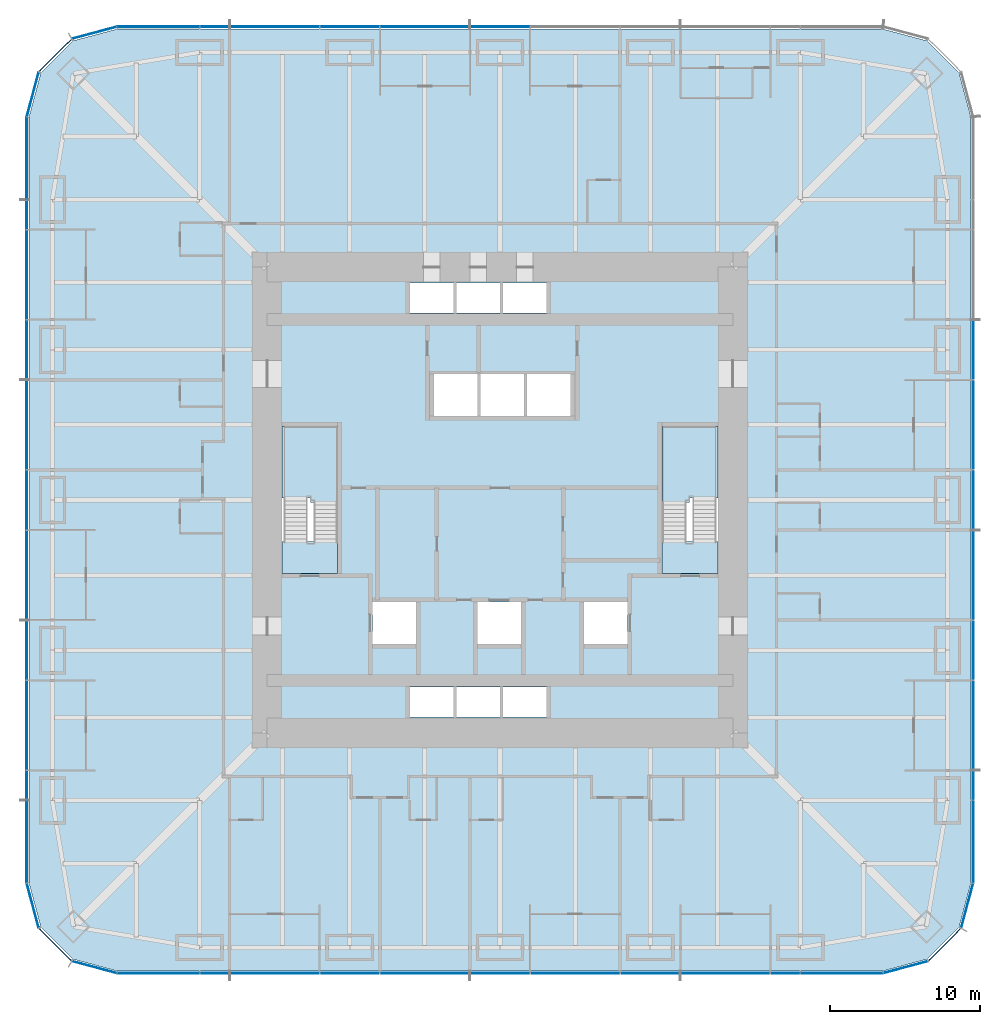
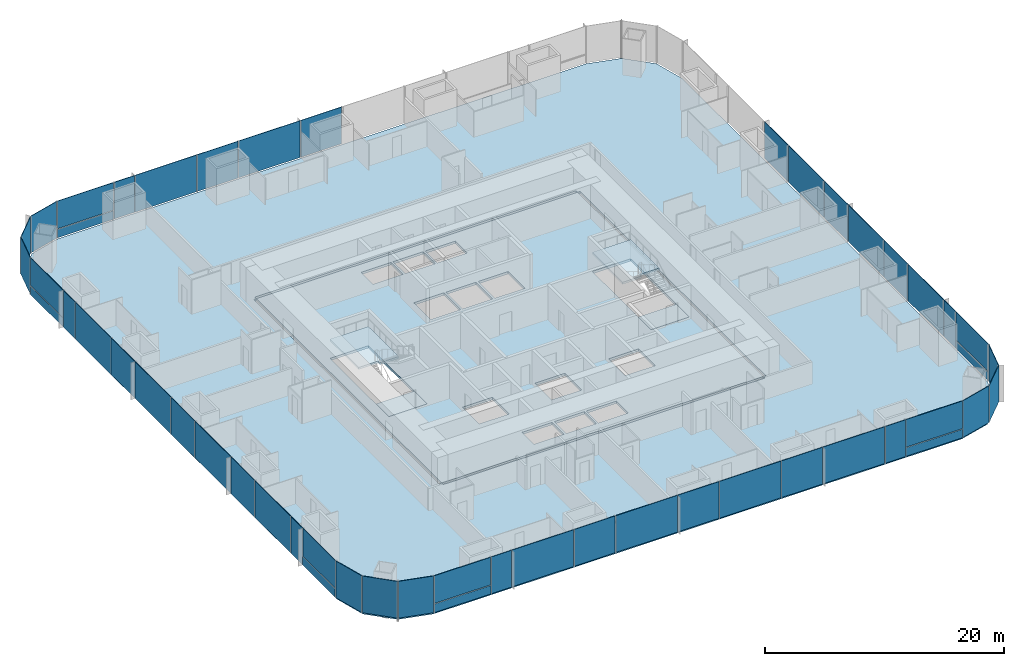
# One storey, part 10 of 16: 51 plates, 6 slabs, 9 elements without a shape of their own.
"""IFC4 building model written with IfcOpenShell, lengths in metres."""

from ifc_helpers import new_model, si_unit, direction, frame, origin, origin_2d, place, context, subcontext, project, spatial, polyline, rectangle, outline, extrude, material, layer, layer_set, type_object, element, aggregate, save


model = new_model("IFC4")

# Units and contexts
model_context = context("Model", 3, precision=1e-05, world=origin(), true_north=direction((0.0, 1.0)))
body_context = subcontext(model_context, "Body", "Model", "MODEL_VIEW")
ifc_project = project(units=[si_unit("LENGTHUNIT", "METRE"), si_unit("AREAUNIT", "SQUARE_METRE"), si_unit("VOLUMEUNIT", "CUBIC_METRE"), si_unit("PLANEANGLEUNIT", "RADIAN"), si_unit("MASSUNIT", "GRAM", prefix="KILO")], contexts=[model_context])

# Site, building, storey
site_placement = place(None, origin())
site = spatial("IfcSite", under=ifc_project, at=site_placement, CompositionType="ELEMENT")
building_placement = place(site_placement, origin())
building = spatial("IfcBuilding", under=site, at=building_placement, Name="Khuree Lantern Residences", CompositionType="ELEMENT")
storey_placement = place(building_placement, frame((0.0, 0.0, 54.75)))
storey = spatial("IfcBuildingStorey", under=building, at=storey_placement, Name="L13", CompositionType="ELEMENT", Elevation=54.75)

# Slab
ifc_material_1 = material(Name="Concrete C35/45", Category="concrete")
ifc_layer_1 = layer(ifc_material_1, 0.25)
ifc_layer_set_1 = layer_set([ifc_layer_1], Name="CFL250 CORE FLOOR SLAB 250")
slab_type_1 = type_object("IfcSlabType", Name="CFL250 CORE FLOOR SLAB 250", PredefinedType="FLOOR", material=ifc_layer_set_1)
slab_1_placement = place(storey_placement, frame((0.0, 0.0, -0.25)))
element("IfcSlab", 1, at=slab_1_placement, inside=storey, type_object=slab_type_1, Name="Core floor L13", PredefinedType="FLOOR", context=body_context, shape_type="SweptSolid", body=[
    extrude(outline(polyline([(-15.5, -15.5), (-15.5, 15.5), (15.5, 15.5), (15.5, -15.5), (-15.5, -15.5)]), holes=[polyline([(14.5, 4.89990234375), (10.800048828125, 4.89990234375), (10.800048828125, -4.89990234375), (14.5, -4.89990234375), (14.5, 4.89990234375)]), polyline([(8.5, -6.800048828125), (5.60009765625, -6.800048828125), (5.60009765625, -9.60009765625), (8.5, -9.60009765625), (8.5, -6.800048828125)]), polyline([(4.699951171875, 8.39990234375), (1.800048828125, 8.39990234375), (1.800048828125, 5.60009765625), (4.699951171875, 5.60009765625), (4.699951171875, 8.39990234375)]), polyline([(0.199951171875, -12.449951171875), (0.199951171875, -14.449951171875), (3.10009765625, -14.449951171875), (3.10009765625, -12.449951171875), (0.199951171875, -12.449951171875)]), polyline([(3.10009765625, 14.449951171875), (0.199951171875, 14.449951171875), (0.199951171875, 12.449951171875), (3.10009765625, 12.449951171875), (3.10009765625, 14.449951171875)]), polyline([(1.60009765625, 8.39990234375), (-1.300048828125, 8.39990234375), (-1.300048828125, 5.60009765625), (1.60009765625, 5.60009765625), (1.60009765625, 8.39990234375)]), polyline([(1.39990234375, -6.800048828125), (-1.5, -6.800048828125), (-1.5, -9.60009765625), (1.39990234375, -9.60009765625), (1.39990234375, -6.800048828125)]), polyline([(0.0, -12.449951171875), (-2.89990234375, -12.449951171875), (-2.89990234375, -14.449951171875), (0.0, -14.449951171875), (0.0, -12.449951171875)]), polyline([(0.0, 14.449951171875), (-2.89990234375, 14.449951171875), (-2.89990234375, 12.449951171875), (0.0, 12.449951171875), (0.0, 14.449951171875)]), polyline([(-1.5, 8.39990234375), (-4.39990234375, 8.39990234375), (-4.39990234375, 5.60009765625), (-1.5, 5.60009765625), (-1.5, 8.39990234375)]), polyline([(-6.0, -12.449951171875), (-6.0, -14.449951171875), (-3.10009765625, -14.449951171875), (-3.10009765625, -12.449951171875), (-6.0, -12.449951171875)]), polyline([(-3.10009765625, 14.449951171875), (-6.0, 14.449951171875), (-6.0, 12.449951171875), (-3.10009765625, 12.449951171875), (-3.10009765625, 14.449951171875)]), polyline([(-5.60009765625, -6.800048828125), (-8.5, -6.800048828125), (-8.5, -9.60009765625), (-5.60009765625, -9.60009765625), (-5.60009765625, -6.800048828125)]), polyline([(-10.800048828125, 4.89990234375), (-14.5, 4.89990234375), (-14.5, -4.89990234375), (-10.800048828125, -4.89990234375), (-10.800048828125, 4.89990234375)])]), origin(), (0.0, 0.0, 1.0), 0.25),
])

# Curtain wall, plates
ifc_material_2 = material(Name="Bronze anodised aluminium", Category="aluminium")
curtain_wall_type_1 = type_object("IfcCurtainWallType", Name="CW-T2 TOWER CORNER CURTAIN WALL", PredefinedType="USERDEFINED", material=ifc_material_2)
curtain_wall_1_placement = place(storey_placement, origin())
curtain_wall_1 = element("IfcCurtainWall", 2, at=curtain_wall_1_placement, inside=storey, type_object=curtain_wall_type_1, Name="L13 SOUTH-EAST CORNER CURTAIN WALL", ObjectType="Faceted corner curtain wall", PredefinedType="USERDEFINED")
ifc_material_3 = material(Name="Bronze tinted triple glazing", Category="glass")
ifc_layer_2 = layer(ifc_material_3, 0.048095703125)
ifc_layer_set_2 = layer_set([ifc_layer_2], Name="FACET PANEL P4")
plate_type_1 = type_object("IfcPlateType", Name="FACET PANEL P4", PredefinedType="CURTAIN_PANEL", material=ifc_layer_set_2)
plate_1_placement = place(storey_placement, frame((26.998046875, -31.0986328125, 0.0), z_axis=(0.0, 0.0, 1.0), x_axis=(0.965925792265, 0.258819172081, 0.0)))
plate_1 = element("IfcPlate", 3, at=plate_1_placement, type_object=plate_type_1, Name="L13 SOUTH-EAST CORNER PANEL 1.1", PredefinedType="CURTAIN_PANEL", context=body_context, shape_type="SweptSolid", body=[
    extrude(rectangle(XDim=3.02978515625, YDim=0.048095703125, at=origin_2d()), origin(), (0.0, 0.0, 1.0), 3.75),
])
plate_2_placement = place(storey_placement, frame((29.59814453125, -29.59814453125, 0.0), z_axis=(0.0, 0.0, 1.0), x_axis=(0.707106781187, 0.707106781187, 0.0)))
plate_2 = element("IfcPlate", 4, at=plate_2_placement, type_object=plate_type_1, Name="L13 SOUTH-EAST CORNER PANEL 2.1", PredefinedType="CURTAIN_PANEL", context=body_context, shape_type="SweptSolid", body=[
    extrude(rectangle(XDim=3.025634765625, YDim=0.048095703125, at=origin_2d()), origin(), (0.0, 0.0, 1.0), 3.75),
])
plate_3_placement = place(storey_placement, frame((31.0986328125, -26.998046875, 0.0), z_axis=(0.0, 0.0, 1.0), x_axis=(0.258819172081, 0.965925792265, 0.0)))
plate_3 = element("IfcPlate", 5, at=plate_3_placement, type_object=plate_type_1, Name="L13 SOUTH-EAST CORNER PANEL 3.1", PredefinedType="CURTAIN_PANEL", context=body_context, shape_type="SweptSolid", body=[
    extrude(rectangle(XDim=3.02978515625, YDim=0.048095703125, at=origin_2d()), origin(), (0.0, 0.0, 1.0), 3.75),
])
aggregate(curtain_wall_1, [plate_1, plate_2, plate_3])

curtain_wall_2_placement = place(storey_placement, origin())
curtain_wall_2 = element("IfcCurtainWall", 6, at=curtain_wall_2_placement, inside=storey, type_object=curtain_wall_type_1, Name="L13 NORTH-WEST CORNER CURTAIN WALL", ObjectType="Faceted corner curtain wall", PredefinedType="USERDEFINED")
plate_4_placement = place(storey_placement, frame((-26.998046875, 31.0986328125, 0.0), z_axis=(0.0, 0.0, 1.0), x_axis=(-0.965925792265, -0.258819172081, 0.0)))
plate_4 = element("IfcPlate", 7, at=plate_4_placement, type_object=plate_type_1, Name="L13 NORTH-WEST CORNER PANEL 29.1", PredefinedType="CURTAIN_PANEL", context=body_context, shape_type="SweptSolid", body=[
    extrude(rectangle(XDim=3.02978515625, YDim=0.048095703125, at=origin_2d()), origin(), (0.0, 0.0, 1.0), 3.75),
])
plate_5_placement = place(storey_placement, frame((-29.59814453125, 29.59814453125, 0.0), z_axis=(0.0, 0.0, 1.0), x_axis=(-0.707106781187, -0.707106781187, 0.0)))
plate_5 = element("IfcPlate", 8, at=plate_5_placement, type_object=plate_type_1, Name="L13 NORTH-WEST CORNER PANEL 30.1", PredefinedType="CURTAIN_PANEL", context=body_context, shape_type="SweptSolid", body=[
    extrude(rectangle(XDim=3.025634765625, YDim=0.048095703125, at=origin_2d()), origin(), (0.0, 0.0, 1.0), 3.75),
])
plate_6_placement = place(storey_placement, frame((-31.0986328125, 26.998046875, 0.0), z_axis=(0.0, 0.0, 1.0), x_axis=(-0.258819172081, -0.965925792265, 0.0)))
plate_6 = element("IfcPlate", 9, at=plate_6_placement, type_object=plate_type_1, Name="L13 NORTH-WEST CORNER PANEL 31.1", PredefinedType="CURTAIN_PANEL", context=body_context, shape_type="SweptSolid", body=[
    extrude(rectangle(XDim=3.02978515625, YDim=0.048095703125, at=origin_2d()), origin(), (0.0, 0.0, 1.0), 3.75),
])
aggregate(curtain_wall_2, [plate_4, plate_5, plate_6])

curtain_wall_3_placement = place(storey_placement, origin())
curtain_wall_3 = element("IfcCurtainWall", 10, at=curtain_wall_3_placement, inside=storey, type_object=curtain_wall_type_1, Name="L13 SOUTH-WEST CORNER CURTAIN WALL", ObjectType="Faceted corner curtain wall", PredefinedType="USERDEFINED")
plate_7_placement = place(storey_placement, frame((-31.0986328125, -26.998046875, 0.0), z_axis=(0.0, 0.0, 1.0), x_axis=(0.258819172081, -0.965925792265, 0.0)))
plate_7 = element("IfcPlate", 11, at=plate_7_placement, type_object=plate_type_1, Name="L13 SOUTH-WEST CORNER PANEL 43.1", PredefinedType="CURTAIN_PANEL", context=body_context, shape_type="SweptSolid", body=[
    extrude(rectangle(XDim=3.02978515625, YDim=0.048095703125, at=origin_2d()), origin(), (0.0, 0.0, 1.0), 3.75),
])
plate_8_placement = place(storey_placement, frame((-29.59814453125, -29.59814453125, 0.0), z_axis=(0.0, 0.0, 1.0), x_axis=(0.707106781187, -0.707106781187, 0.0)))
plate_8 = element("IfcPlate", 12, at=plate_8_placement, type_object=plate_type_1, Name="L13 SOUTH-WEST CORNER PANEL 44.1", PredefinedType="CURTAIN_PANEL", context=body_context, shape_type="SweptSolid", body=[
    extrude(rectangle(XDim=3.025634765625, YDim=0.048095703125, at=origin_2d()), origin(), (0.0, 0.0, 1.0), 3.75),
])
plate_9_placement = place(storey_placement, frame((-26.998046875, -31.0986328125, 0.0), z_axis=(0.0, 0.0, 1.0), x_axis=(0.965925792265, -0.258819172081, 0.0)))
plate_9 = element("IfcPlate", 13, at=plate_9_placement, type_object=plate_type_1, Name="L13 SOUTH-WEST CORNER PANEL 45.1", PredefinedType="CURTAIN_PANEL", context=body_context, shape_type="SweptSolid", body=[
    extrude(rectangle(XDim=3.02978515625, YDim=0.048095703125, at=origin_2d()), origin(), (0.0, 0.0, 1.0), 3.75),
])
aggregate(curtain_wall_3, [plate_7, plate_8, plate_9])

curtain_wall_type_2 = type_object("IfcCurtainWallType", Name="CW-T1 TOWER FACE CURTAIN WALL", PredefinedType="USERDEFINED", material=ifc_material_2)
curtain_wall_4_placement = place(storey_placement, origin())
curtain_wall_4 = element("IfcCurtainWall", 14, at=curtain_wall_4_placement, inside=storey, type_object=curtain_wall_type_2, Name="L13 EAST FACE CURTAIN WALL", ObjectType="Stick-built curtain wall", PredefinedType="USERDEFINED")
ifc_material_4 = material(Name="Bronze tinted triple glazing with a ceramic-fritted spandrel band", Category="glass")
ifc_layer_3 = layer(ifc_material_4, 0.048095703125)
ifc_layer_set_3 = layer_set([ifc_layer_3], Name="FIXED LIGHT PANEL P11")
plate_type_2 = type_object("IfcPlateType", Name="FIXED LIGHT PANEL P11", PredefinedType="CURTAIN_PANEL", material=ifc_layer_set_3)
plate_10_placement = place(storey_placement, frame((31.5, -15.0, 0.0), z_axis=(0.0, 0.0, 1.0), x_axis=(0.0, 1.0, 0.0)))
plate_10 = element("IfcPlate", 15, at=plate_10_placement, type_object=plate_type_2, Name="L13 EAST FACE PANEL 6.1", PredefinedType="CURTAIN_PANEL", context=body_context, shape_type="SweptSolid", body=[
    extrude(rectangle(XDim=5.93505859375, YDim=0.048095703125, at=origin_2d()), origin(), (0.0, 0.0, 1.0), 3.75),
])
plate_11_placement = place(storey_placement, frame((31.5, -5.0, 0.0), z_axis=(0.0, 0.0, 1.0), x_axis=(0.0, 1.0, 0.0)))
plate_11 = element("IfcPlate", 16, at=plate_11_placement, type_object=plate_type_2, Name="L13 EAST FACE PANEL 8.1", PredefinedType="CURTAIN_PANEL", context=body_context, shape_type="SweptSolid", body=[
    extrude(rectangle(XDim=5.93505859375, YDim=0.048095703125, at=origin_2d()), origin(), (0.0, 0.0, 1.0), 3.75),
])
plate_12_placement = place(storey_placement, frame((31.5, 5.0, 0.0), z_axis=(0.0, 0.0, 1.0), x_axis=(0.0, 1.0, 0.0)))
plate_12 = element("IfcPlate", 17, at=plate_12_placement, type_object=plate_type_2, Name="L13 EAST FACE PANEL 10.1", PredefinedType="CURTAIN_PANEL", context=body_context, shape_type="SweptSolid", body=[
    extrude(rectangle(XDim=5.93505859375, YDim=0.048095703125, at=origin_2d()), origin(), (0.0, 0.0, 1.0), 3.75),
])

curtain_wall_5_placement = place(storey_placement, origin())
curtain_wall_5 = element("IfcCurtainWall", 18, at=curtain_wall_5_placement, inside=storey, type_object=curtain_wall_type_2, Name="L13 NORTH FACE CURTAIN WALL", ObjectType="Stick-built curtain wall", PredefinedType="USERDEFINED")
plate_13_placement = place(storey_placement, frame((-5.0, 31.5, 0.0), z_axis=(0.0, 0.0, 1.0), x_axis=(-1.0, 0.0, 0.0)))
plate_13 = element("IfcPlate", 19, at=plate_13_placement, type_object=plate_type_2, Name="L13 NORTH FACE PANEL 24.1", PredefinedType="CURTAIN_PANEL", context=body_context, shape_type="SweptSolid", body=[
    extrude(rectangle(XDim=5.93505859375, YDim=0.048095703125, at=origin_2d()), origin(), (0.0, 0.0, 1.0), 3.75),
])
plate_14_placement = place(storey_placement, frame((-15.0, 31.5, 0.0), z_axis=(0.0, 0.0, 1.0), x_axis=(-1.0, 0.0, 0.0)))
plate_14 = element("IfcPlate", 20, at=plate_14_placement, type_object=plate_type_2, Name="L13 NORTH FACE PANEL 26.1", PredefinedType="CURTAIN_PANEL", context=body_context, shape_type="SweptSolid", body=[
    extrude(rectangle(XDim=5.93505859375, YDim=0.048095703125, at=origin_2d()), origin(), (0.0, 0.0, 1.0), 3.75),
])

curtain_wall_6_placement = place(storey_placement, origin())
curtain_wall_6 = element("IfcCurtainWall", 21, at=curtain_wall_6_placement, inside=storey, type_object=curtain_wall_type_2, Name="L13 WEST FACE CURTAIN WALL", ObjectType="Stick-built curtain wall", PredefinedType="USERDEFINED")
plate_15_placement = place(storey_placement, frame((-31.5, 15.0, 0.0), z_axis=(0.0, 0.0, 1.0), x_axis=(0.0, -1.0, 0.0)))
plate_15 = element("IfcPlate", 22, at=plate_15_placement, type_object=plate_type_2, Name="L13 WEST FACE PANEL 34.1", PredefinedType="CURTAIN_PANEL", context=body_context, shape_type="SweptSolid", body=[
    extrude(rectangle(XDim=5.93505859375, YDim=0.048095703125, at=origin_2d()), origin(), (0.0, 0.0, 1.0), 3.75),
])
plate_16_placement = place(storey_placement, frame((-31.5, 5.0, 0.0), z_axis=(0.0, 0.0, 1.0), x_axis=(0.0, -1.0, 0.0)))
plate_16 = element("IfcPlate", 23, at=plate_16_placement, type_object=plate_type_2, Name="L13 WEST FACE PANEL 36.1", PredefinedType="CURTAIN_PANEL", context=body_context, shape_type="SweptSolid", body=[
    extrude(rectangle(XDim=5.93505859375, YDim=0.048095703125, at=origin_2d()), origin(), (0.0, 0.0, 1.0), 3.75),
])
plate_17_placement = place(storey_placement, frame((-31.5, -5.0, 0.0), z_axis=(0.0, 0.0, 1.0), x_axis=(0.0, -1.0, 0.0)))
plate_17 = element("IfcPlate", 24, at=plate_17_placement, type_object=plate_type_2, Name="L13 WEST FACE PANEL 38.1", PredefinedType="CURTAIN_PANEL", context=body_context, shape_type="SweptSolid", body=[
    extrude(rectangle(XDim=5.93505859375, YDim=0.048095703125, at=origin_2d()), origin(), (0.0, 0.0, 1.0), 3.75),
])
plate_18_placement = place(storey_placement, frame((-31.5, -15.0, 0.0), z_axis=(0.0, 0.0, 1.0), x_axis=(0.0, -1.0, 0.0)))
plate_18 = element("IfcPlate", 25, at=plate_18_placement, type_object=plate_type_2, Name="L13 WEST FACE PANEL 40.1", PredefinedType="CURTAIN_PANEL", context=body_context, shape_type="SweptSolid", body=[
    extrude(rectangle(XDim=5.93505859375, YDim=0.048095703125, at=origin_2d()), origin(), (0.0, 0.0, 1.0), 3.75),
])

curtain_wall_7_placement = place(storey_placement, origin())
curtain_wall_7 = element("IfcCurtainWall", 26, at=curtain_wall_7_placement, inside=storey, type_object=curtain_wall_type_2, Name="L13 SOUTH FACE CURTAIN WALL", ObjectType="Stick-built curtain wall", PredefinedType="USERDEFINED")
plate_19_placement = place(storey_placement, frame((-15.0, -31.5, 0.0), z_axis=(0.0, 0.0, 1.0), x_axis=(1.0, 0.0, 0.0)))
plate_19 = element("IfcPlate", 27, at=plate_19_placement, type_object=plate_type_2, Name="L13 SOUTH FACE PANEL 48.1", PredefinedType="CURTAIN_PANEL", context=body_context, shape_type="SweptSolid", body=[
    extrude(rectangle(XDim=5.93505859375, YDim=0.048095703125, at=origin_2d()), origin(), (0.0, 0.0, 1.0), 3.75),
])
plate_20_placement = place(storey_placement, frame((-5.0, -31.5, 0.0), z_axis=(0.0, 0.0, 1.0), x_axis=(1.0, 0.0, 0.0)))
plate_20 = element("IfcPlate", 28, at=plate_20_placement, type_object=plate_type_2, Name="L13 SOUTH FACE PANEL 50.1", PredefinedType="CURTAIN_PANEL", context=body_context, shape_type="SweptSolid", body=[
    extrude(rectangle(XDim=5.93505859375, YDim=0.048095703125, at=origin_2d()), origin(), (0.0, 0.0, 1.0), 3.75),
])
plate_21_placement = place(storey_placement, frame((5.0, -31.5, 0.0), z_axis=(0.0, 0.0, 1.0), x_axis=(1.0, 0.0, 0.0)))
plate_21 = element("IfcPlate", 29, at=plate_21_placement, type_object=plate_type_2, Name="L13 SOUTH FACE PANEL 52.1", PredefinedType="CURTAIN_PANEL", context=body_context, shape_type="SweptSolid", body=[
    extrude(rectangle(XDim=5.93505859375, YDim=0.048095703125, at=origin_2d()), origin(), (0.0, 0.0, 1.0), 3.75),
])
plate_22_placement = place(storey_placement, frame((15.0, -31.5, 0.0), z_axis=(0.0, 0.0, 1.0), x_axis=(1.0, 0.0, 0.0)))
plate_22 = element("IfcPlate", 30, at=plate_22_placement, type_object=plate_type_2, Name="L13 SOUTH FACE PANEL 54.1", PredefinedType="CURTAIN_PANEL", context=body_context, shape_type="SweptSolid", body=[
    extrude(rectangle(XDim=5.93505859375, YDim=0.048095703125, at=origin_2d()), origin(), (0.0, 0.0, 1.0), 3.75),
])

# Slab
ifc_layer_4 = layer(ifc_material_1, 0.25)
ifc_layer_set_4 = layer_set([ifc_layer_4], Name="FS250 FLOOR SLAB 250")
slab_type_2 = type_object("IfcSlabType", Name="FS250 FLOOR SLAB 250", PredefinedType="FLOOR", material=ifc_layer_set_4)
slab_2_placement = place(storey_placement, frame((0.0, 0.0, -0.25)))
element("IfcSlab", 31, at=slab_2_placement, inside=storey, type_object=slab_type_2, Name="Floor slab L13", PredefinedType="FLOOR", context=body_context, shape_type="SweptSolid", body=[
    extrude(outline(polyline([(-28.425048828125, -30.566162109375), (-30.566162109375, -28.425048828125), (-31.35009765625, -25.5), (-31.35009765625, 25.5), (-30.566162109375, 28.425048828125), (-28.425048828125, 30.566162109375), (-25.5, 31.35009765625), (25.5, 31.35009765625), (28.425048828125, 30.566162109375), (30.566162109375, 28.425048828125), (31.35009765625, 25.5), (31.35009765625, -25.5), (30.566162109375, -28.425048828125), (28.425048828125, -30.566162109375), (25.5, -31.35009765625), (-25.5, -31.35009765625), (-28.425048828125, -30.566162109375)]), holes=[polyline([(15.75, 15.5), (15.5, 15.5), (15.5, 15.75), (-15.5, 15.75), (-15.5, 15.5), (-15.75, 15.5), (-15.75, -15.5), (-15.5, -15.5), (-15.5, -15.75), (15.5, -15.75), (15.5, -15.5), (15.75, -15.5), (15.75, 15.5)])]), origin(), (0.0, 0.0, 1.0), 0.25),
])

# Plate
ifc_material_5 = material(Name="Bronze tinted triple glazing, two aluminium-framed sashes in one frame", Category="aluminium")
ifc_layer_5 = layer(ifc_material_5, 0.048095703125)
ifc_layer_set_5 = layer_set([ifc_layer_5], Name="SASH PAIR PANEL P12")
plate_type_3 = type_object("IfcPlateType", Name="SASH PAIR PANEL P12", PredefinedType="CURTAIN_PANEL", material=ifc_layer_set_5)
plate_23_placement = place(storey_placement, frame((31.5, -10.0, 0.0), z_axis=(0.0, 0.0, 1.0), x_axis=(0.0, 1.0, 0.0)))
plate_23 = element("IfcPlate", 32, at=plate_23_placement, type_object=plate_type_3, Name="L13 EAST FACE PANEL 7.1", PredefinedType="CURTAIN_PANEL", context=body_context, shape_type="SweptSolid", body=[
    extrude(rectangle(XDim=3.93505859375, YDim=0.048095703125, at=origin_2d()), origin(), (0.0, 0.0, 1.0), 3.75),
])

plate_24_placement = place(storey_placement, frame((31.5, 0.0, 0.0), z_axis=(0.0, 0.0, 1.0), x_axis=(0.0, 1.0, 0.0)))
plate_24 = element("IfcPlate", 33, at=plate_24_placement, type_object=plate_type_3, Name="L13 EAST FACE PANEL 9.1", PredefinedType="CURTAIN_PANEL", context=body_context, shape_type="SweptSolid", body=[
    extrude(rectangle(XDim=3.93505859375, YDim=0.048095703125, at=origin_2d()), origin(), (0.0, 0.0, 1.0), 3.75),
])

plate_25_placement = place(storey_placement, frame((31.5, 10.0, 0.0), z_axis=(0.0, 0.0, 1.0), x_axis=(0.0, 1.0, 0.0)))
plate_25 = element("IfcPlate", 34, at=plate_25_placement, type_object=plate_type_3, Name="L13 EAST FACE PANEL 11.1", PredefinedType="CURTAIN_PANEL", context=body_context, shape_type="SweptSolid", body=[
    extrude(rectangle(XDim=3.93505859375, YDim=0.048095703125, at=origin_2d()), origin(), (0.0, 0.0, 1.0), 3.75),
])

plate_26_placement = place(storey_placement, frame((0.0, 31.5, 0.0), z_axis=(0.0, 0.0, 1.0), x_axis=(-1.0, 0.0, 0.0)))
plate_26 = element("IfcPlate", 35, at=plate_26_placement, type_object=plate_type_3, Name="L13 NORTH FACE PANEL 23.1", PredefinedType="CURTAIN_PANEL", context=body_context, shape_type="SweptSolid", body=[
    extrude(rectangle(XDim=3.93505859375, YDim=0.048095703125, at=origin_2d()), origin(), (0.0, 0.0, 1.0), 3.75),
])

plate_27_placement = place(storey_placement, frame((-10.0, 31.5, 0.0), z_axis=(0.0, 0.0, 1.0), x_axis=(-1.0, 0.0, 0.0)))
plate_27 = element("IfcPlate", 36, at=plate_27_placement, type_object=plate_type_3, Name="L13 NORTH FACE PANEL 25.1", PredefinedType="CURTAIN_PANEL", context=body_context, shape_type="SweptSolid", body=[
    extrude(rectangle(XDim=3.93505859375, YDim=0.048095703125, at=origin_2d()), origin(), (0.0, 0.0, 1.0), 3.75),
])

plate_28_placement = place(storey_placement, frame((-31.5, 10.0, 0.0), z_axis=(0.0, 0.0, 1.0), x_axis=(0.0, -1.0, 0.0)))
plate_28 = element("IfcPlate", 37, at=plate_28_placement, type_object=plate_type_3, Name="L13 WEST FACE PANEL 35.1", PredefinedType="CURTAIN_PANEL", context=body_context, shape_type="SweptSolid", body=[
    extrude(rectangle(XDim=3.93505859375, YDim=0.048095703125, at=origin_2d()), origin(), (0.0, 0.0, 1.0), 3.75),
])

plate_29_placement = place(storey_placement, frame((-31.5, 0.0, 0.0), z_axis=(0.0, 0.0, 1.0), x_axis=(0.0, -1.0, 0.0)))
plate_29 = element("IfcPlate", 38, at=plate_29_placement, type_object=plate_type_3, Name="L13 WEST FACE PANEL 37.1", PredefinedType="CURTAIN_PANEL", context=body_context, shape_type="SweptSolid", body=[
    extrude(rectangle(XDim=3.93505859375, YDim=0.048095703125, at=origin_2d()), origin(), (0.0, 0.0, 1.0), 3.75),
])

plate_30_placement = place(storey_placement, frame((-31.5, -10.0, 0.0), z_axis=(0.0, 0.0, 1.0), x_axis=(0.0, -1.0, 0.0)))
plate_30 = element("IfcPlate", 39, at=plate_30_placement, type_object=plate_type_3, Name="L13 WEST FACE PANEL 39.1", PredefinedType="CURTAIN_PANEL", context=body_context, shape_type="SweptSolid", body=[
    extrude(rectangle(XDim=3.93505859375, YDim=0.048095703125, at=origin_2d()), origin(), (0.0, 0.0, 1.0), 3.75),
])

plate_31_placement = place(storey_placement, frame((-10.0, -31.5, 0.0), z_axis=(0.0, 0.0, 1.0), x_axis=(1.0, 0.0, 0.0)))
plate_31 = element("IfcPlate", 40, at=plate_31_placement, type_object=plate_type_3, Name="L13 SOUTH FACE PANEL 49.1", PredefinedType="CURTAIN_PANEL", context=body_context, shape_type="SweptSolid", body=[
    extrude(rectangle(XDim=3.93505859375, YDim=0.048095703125, at=origin_2d()), origin(), (0.0, 0.0, 1.0), 3.75),
])

plate_32_placement = place(storey_placement, frame((0.0, -31.5, 0.0), z_axis=(0.0, 0.0, 1.0), x_axis=(1.0, 0.0, 0.0)))
plate_32 = element("IfcPlate", 41, at=plate_32_placement, type_object=plate_type_3, Name="L13 SOUTH FACE PANEL 51.1", PredefinedType="CURTAIN_PANEL", context=body_context, shape_type="SweptSolid", body=[
    extrude(rectangle(XDim=3.93505859375, YDim=0.048095703125, at=origin_2d()), origin(), (0.0, 0.0, 1.0), 3.75),
])

plate_33_placement = place(storey_placement, frame((10.0, -31.5, 0.0), z_axis=(0.0, 0.0, 1.0), x_axis=(1.0, 0.0, 0.0)))
plate_33 = element("IfcPlate", 42, at=plate_33_placement, type_object=plate_type_3, Name="L13 SOUTH FACE PANEL 53.1", PredefinedType="CURTAIN_PANEL", context=body_context, shape_type="SweptSolid", body=[
    extrude(rectangle(XDim=3.93505859375, YDim=0.048095703125, at=origin_2d()), origin(), (0.0, 0.0, 1.0), 3.75),
])

ifc_material_6 = material(Name="Bronze tinted triple glazing, aluminium-framed sash", Category="aluminium")
ifc_layer_6 = layer(ifc_material_6, 0.048095703125)
ifc_layer_set_6 = layer_set([ifc_layer_6], Name="SASH PANEL P3")
plate_type_4 = type_object("IfcPlateType", Name="SASH PANEL P3", PredefinedType="CURTAIN_PANEL", material=ifc_layer_set_6)
plate_34_placement = place(storey_placement, frame((31.5, -19.0, 0.0), z_axis=(0.0, 0.0, 1.0), x_axis=(0.0, 1.0, 0.0)))
plate_34 = element("IfcPlate", 43, at=plate_34_placement, type_object=plate_type_4, Name="L13 EAST FACE PANEL 5.1", PredefinedType="CURTAIN_PANEL", context=body_context, shape_type="SweptSolid", body=[
    extrude(rectangle(XDim=1.93505859375, YDim=0.048095703125, at=origin_2d()), origin(), (0.0, 0.0, 1.0), 3.75),
])

plate_35_placement = place(storey_placement, frame((-19.0, 31.5, 0.0), z_axis=(0.0, 0.0, 1.0), x_axis=(-1.0, 0.0, 0.0)))
plate_35 = element("IfcPlate", 44, at=plate_35_placement, type_object=plate_type_4, Name="L13 NORTH FACE PANEL 27.1", PredefinedType="CURTAIN_PANEL", context=body_context, shape_type="SweptSolid", body=[
    extrude(rectangle(XDim=1.93505859375, YDim=0.048095703125, at=origin_2d()), origin(), (0.0, 0.0, 1.0), 3.75),
])

plate_36_placement = place(storey_placement, frame((-31.5, 19.0, 0.0), z_axis=(0.0, 0.0, 1.0), x_axis=(0.0, -1.0, 0.0)))
plate_36 = element("IfcPlate", 45, at=plate_36_placement, type_object=plate_type_4, Name="L13 WEST FACE PANEL 33.1", PredefinedType="CURTAIN_PANEL", context=body_context, shape_type="SweptSolid", body=[
    extrude(rectangle(XDim=1.93505859375, YDim=0.048095703125, at=origin_2d()), origin(), (0.0, 0.0, 1.0), 3.75),
])

plate_37_placement = place(storey_placement, frame((-31.5, -19.0, 0.0), z_axis=(0.0, 0.0, 1.0), x_axis=(0.0, -1.0, 0.0)))
plate_37 = element("IfcPlate", 46, at=plate_37_placement, type_object=plate_type_4, Name="L13 WEST FACE PANEL 41.1", PredefinedType="CURTAIN_PANEL", context=body_context, shape_type="SweptSolid", body=[
    extrude(rectangle(XDim=1.93505859375, YDim=0.048095703125, at=origin_2d()), origin(), (0.0, 0.0, 1.0), 3.75),
])

plate_38_placement = place(storey_placement, frame((-19.0, -31.5, 0.0), z_axis=(0.0, 0.0, 1.0), x_axis=(1.0, 0.0, 0.0)))
plate_38 = element("IfcPlate", 47, at=plate_38_placement, type_object=plate_type_4, Name="L13 SOUTH FACE PANEL 47.1", PredefinedType="CURTAIN_PANEL", context=body_context, shape_type="SweptSolid", body=[
    extrude(rectangle(XDim=1.93505859375, YDim=0.048095703125, at=origin_2d()), origin(), (0.0, 0.0, 1.0), 3.75),
])

plate_39_placement = place(storey_placement, frame((19.0, -31.5, 0.0), z_axis=(0.0, 0.0, 1.0), x_axis=(1.0, 0.0, 0.0)))
plate_39 = element("IfcPlate", 48, at=plate_39_placement, type_object=plate_type_4, Name="L13 SOUTH FACE PANEL 55.1", PredefinedType="CURTAIN_PANEL", context=body_context, shape_type="SweptSolid", body=[
    extrude(rectangle(XDim=1.93505859375, YDim=0.048095703125, at=origin_2d()), origin(), (0.0, 0.0, 1.0), 3.75),
])

ifc_material_7 = material(Name="Bronze anodised aluminium insulated spandrel", Category="aluminium")
ifc_layer_7 = layer(ifc_material_7, 0.06005859375)
ifc_layer_set_7 = layer_set([ifc_layer_7], Name="SPANDREL PANEL P2")
plate_type_5 = type_object("IfcPlateType", Name="SPANDREL PANEL P2", PredefinedType="CURTAIN_PANEL", material=ifc_layer_set_7)
plate_40_placement = place(storey_placement, frame((31.5, -22.747802734375, 0.0), z_axis=(0.0, 0.0, 1.0), x_axis=(0.0, 1.0, 0.0)))
plate_40 = element("IfcPlate", 49, at=plate_40_placement, type_object=plate_type_5, Name="L13 EAST FACE PANEL 4.1", PredefinedType="CURTAIN_PANEL", context=body_context, shape_type="SweptSolid", body=[
    extrude(rectangle(XDim=5.4306640625, YDim=0.06005859375, at=origin_2d()), origin(), (0.0, 0.0, 1.0), 0.867431640625),
])

plate_41_placement = place(storey_placement, frame((-22.747802734375, 31.5, 0.0), z_axis=(0.0, 0.0, 1.0), x_axis=(-1.0, 0.0, 0.0)))
plate_41 = element("IfcPlate", 50, at=plate_41_placement, type_object=plate_type_5, Name="L13 NORTH FACE PANEL 28.1", PredefinedType="CURTAIN_PANEL", context=body_context, shape_type="SweptSolid", body=[
    extrude(rectangle(XDim=5.4306640625, YDim=0.06005859375, at=origin_2d()), origin(), (0.0, 0.0, 1.0), 0.867431640625),
])

plate_42_placement = place(storey_placement, frame((-31.5, 22.747802734375, 0.0), z_axis=(0.0, 0.0, 1.0), x_axis=(0.0, -1.0, 0.0)))
plate_42 = element("IfcPlate", 51, at=plate_42_placement, type_object=plate_type_5, Name="L13 WEST FACE PANEL 32.1", PredefinedType="CURTAIN_PANEL", context=body_context, shape_type="SweptSolid", body=[
    extrude(rectangle(XDim=5.4306640625, YDim=0.06005859375, at=origin_2d()), origin(), (0.0, 0.0, 1.0), 0.867431640625),
])

plate_43_placement = place(storey_placement, frame((-31.5, -22.747802734375, 0.0), z_axis=(0.0, 0.0, 1.0), x_axis=(0.0, -1.0, 0.0)))
plate_43 = element("IfcPlate", 52, at=plate_43_placement, type_object=plate_type_5, Name="L13 WEST FACE PANEL 42.1", PredefinedType="CURTAIN_PANEL", context=body_context, shape_type="SweptSolid", body=[
    extrude(rectangle(XDim=5.4306640625, YDim=0.06005859375, at=origin_2d()), origin(), (0.0, 0.0, 1.0), 0.867431640625),
])

plate_44_placement = place(storey_placement, frame((-22.747802734375, -31.5, 0.0), z_axis=(0.0, 0.0, 1.0), x_axis=(1.0, 0.0, 0.0)))
plate_44 = element("IfcPlate", 53, at=plate_44_placement, type_object=plate_type_5, Name="L13 SOUTH FACE PANEL 46.1", PredefinedType="CURTAIN_PANEL", context=body_context, shape_type="SweptSolid", body=[
    extrude(rectangle(XDim=5.4306640625, YDim=0.06005859375, at=origin_2d()), origin(), (0.0, 0.0, 1.0), 0.867431640625),
])

plate_45_placement = place(storey_placement, frame((22.747802734375, -31.5, 0.0), z_axis=(0.0, 0.0, 1.0), x_axis=(1.0, 0.0, 0.0)))
plate_45 = element("IfcPlate", 54, at=plate_45_placement, type_object=plate_type_5, Name="L13 SOUTH FACE PANEL 56.1", PredefinedType="CURTAIN_PANEL", context=body_context, shape_type="SweptSolid", body=[
    extrude(rectangle(XDim=5.4306640625, YDim=0.06005859375, at=origin_2d()), origin(), (0.0, 0.0, 1.0), 0.867431640625),
])

# Stair, slabs
ifc_material_8 = material(Name="Concrete C40/50", Category="concrete")
stair_type = type_object("IfcStairType", Name="STAIR ST1 HALF TURN 3600", PredefinedType="HALF_TURN_STAIR", material=ifc_material_8)
stair_1_placement = place(storey_placement, origin())
stair_1 = element("IfcStair", 55, at=stair_1_placement, inside=storey, type_object=stair_type, Name="Stair ST1", PredefinedType="HALF_TURN_STAIR")
ifc_layer_8 = layer(ifc_material_8, 0.199951171875)
ifc_layer_set_8 = layer_set([ifc_layer_8], Name="STAIR LANDING SL1 200")
slab_type_3 = type_object("IfcSlabType", Name="STAIR LANDING SL1 200", PredefinedType="LANDING", material=ifc_layer_set_8)
slab_3_placement = place(storey_placement, frame((0.0, 0.0, -0.199951171875)))
slab_3 = element("IfcSlab", 56, at=slab_3_placement, type_object=slab_type_3, Name="ST1 landing 1", PredefinedType="LANDING", context=body_context, shape_type="SweptSolid", body=[
    extrude(outline(polyline([(-14.5, -4.89990234375), (-10.800048828125, -4.89990234375), (-10.800048828125, -2.760009765625), (-14.5, -2.760009765625), (-14.5, -4.89990234375)])), origin(), (0.0, 0.0, 1.0), 0.199951171875),
])
slab_4_placement = place(storey_placement, frame((0.0, 0.0, 1.756591796875)))
slab_4 = element("IfcSlab", 57, at=slab_4_placement, type_object=slab_type_3, Name="ST1 landing 2", PredefinedType="LANDING", context=body_context, shape_type="SweptSolid", body=[
    extrude(outline(polyline([(-14.5, 0.1201171875), (-14.5, 4.89990234375), (-10.800048828125, 4.89990234375), (-10.800048828125, -0.159912109375), (-12.60009765625, -0.159912109375), (-12.60009765625, 0.1201171875), (-14.5, 0.1201171875)])), origin(), (0.0, 0.0, 1.0), 0.199951171875),
])
aggregate(stair_1, [slab_3, slab_4])

stair_2_placement = place(storey_placement, origin())
stair_2 = element("IfcStair", 58, at=stair_2_placement, inside=storey, type_object=stair_type, Name="Stair ST2", PredefinedType="HALF_TURN_STAIR")
slab_5_placement = place(storey_placement, frame((0.0, 0.0, -0.199951171875)))
slab_5 = element("IfcSlab", 59, at=slab_5_placement, type_object=slab_type_3, Name="ST2 landing 1", PredefinedType="LANDING", context=body_context, shape_type="SweptSolid", body=[
    extrude(outline(polyline([(10.800048828125, -4.89990234375), (14.5, -4.89990234375), (14.5, -2.760009765625), (10.800048828125, -2.760009765625), (10.800048828125, -4.89990234375)])), origin(), (0.0, 0.0, 1.0), 0.199951171875),
])
slab_6_placement = place(storey_placement, frame((0.0, 0.0, 1.756591796875)))
slab_6 = element("IfcSlab", 60, at=slab_6_placement, type_object=slab_type_3, Name="ST2 landing 2", PredefinedType="LANDING", context=body_context, shape_type="SweptSolid", body=[
    extrude(outline(polyline([(14.5, 4.89990234375), (14.5, 0.1201171875), (12.60009765625, 0.1201171875), (12.60009765625, -0.159912109375), (10.800048828125, -0.159912109375), (10.800048828125, 4.89990234375), (14.5, 4.89990234375)])), origin(), (0.0, 0.0, 1.0), 0.199951171875),
])
aggregate(stair_2, [slab_5, slab_6])

# Plate
ifc_layer_9 = layer(ifc_material_3, 0.048095703125)
ifc_layer_set_9 = layer_set([ifc_layer_9], Name="VISION PANEL P1")
plate_type_6 = type_object("IfcPlateType", Name="VISION PANEL P1", PredefinedType="CURTAIN_PANEL", material=ifc_layer_set_9)
plate_46_placement = place(storey_placement, frame((31.5, -22.748291015625, 0.9326171875), z_axis=(0.0, 0.0, 1.0), x_axis=(0.0, 1.0, 0.0)))
plate_46 = element("IfcPlate", 61, at=plate_46_placement, type_object=plate_type_6, Name="L13 EAST FACE PANEL 4.2", PredefinedType="CURTAIN_PANEL", context=body_context, shape_type="SweptSolid", body=[
    extrude(rectangle(XDim=5.431640625, YDim=0.048095703125, at=origin_2d()), origin(), (0.0, 0.0, 1.0), 2.8173828125),
])

aggregate(curtain_wall_4, [plate_40, plate_46, plate_34, plate_10, plate_23, plate_11, plate_24, plate_12, plate_25])

plate_47_placement = place(storey_placement, frame((-22.748291015625, 31.5, 0.9326171875), z_axis=(0.0, 0.0, 1.0), x_axis=(-1.0, 0.0, 0.0)))
plate_47 = element("IfcPlate", 62, at=plate_47_placement, type_object=plate_type_6, Name="L13 NORTH FACE PANEL 28.2", PredefinedType="CURTAIN_PANEL", context=body_context, shape_type="SweptSolid", body=[
    extrude(rectangle(XDim=5.431640625, YDim=0.048095703125, at=origin_2d()), origin(), (0.0, 0.0, 1.0), 2.8173828125),
])

aggregate(curtain_wall_5, [plate_26, plate_13, plate_27, plate_14, plate_35, plate_41, plate_47])

plate_48_placement = place(storey_placement, frame((-31.5, 22.748291015625, 0.9326171875), z_axis=(0.0, 0.0, 1.0), x_axis=(0.0, -1.0, 0.0)))
plate_48 = element("IfcPlate", 63, at=plate_48_placement, type_object=plate_type_6, Name="L13 WEST FACE PANEL 32.2", PredefinedType="CURTAIN_PANEL", context=body_context, shape_type="SweptSolid", body=[
    extrude(rectangle(XDim=5.431640625, YDim=0.048095703125, at=origin_2d()), origin(), (0.0, 0.0, 1.0), 2.8173828125),
])

plate_49_placement = place(storey_placement, frame((-31.5, -22.748291015625, 0.9326171875), z_axis=(0.0, 0.0, 1.0), x_axis=(0.0, -1.0, 0.0)))
plate_49 = element("IfcPlate", 64, at=plate_49_placement, type_object=plate_type_6, Name="L13 WEST FACE PANEL 42.2", PredefinedType="CURTAIN_PANEL", context=body_context, shape_type="SweptSolid", body=[
    extrude(rectangle(XDim=5.431640625, YDim=0.048095703125, at=origin_2d()), origin(), (0.0, 0.0, 1.0), 2.8173828125),
])

aggregate(curtain_wall_6, [plate_42, plate_48, plate_36, plate_15, plate_28, plate_16, plate_29, plate_17, plate_30, plate_18, plate_37, plate_43, plate_49])

plate_50_placement = place(storey_placement, frame((-22.748291015625, -31.5, 0.9326171875), z_axis=(0.0, 0.0, 1.0), x_axis=(1.0, 0.0, 0.0)))
plate_50 = element("IfcPlate", 65, at=plate_50_placement, type_object=plate_type_6, Name="L13 SOUTH FACE PANEL 46.2", PredefinedType="CURTAIN_PANEL", context=body_context, shape_type="SweptSolid", body=[
    extrude(rectangle(XDim=5.431640625, YDim=0.048095703125, at=origin_2d()), origin(), (0.0, 0.0, 1.0), 2.8173828125),
])

plate_51_placement = place(storey_placement, frame((22.748291015625, -31.5, 0.9326171875), z_axis=(0.0, 0.0, 1.0), x_axis=(1.0, 0.0, 0.0)))
plate_51 = element("IfcPlate", 66, at=plate_51_placement, type_object=plate_type_6, Name="L13 SOUTH FACE PANEL 56.2", PredefinedType="CURTAIN_PANEL", context=body_context, shape_type="SweptSolid", body=[
    extrude(rectangle(XDim=5.431640625, YDim=0.048095703125, at=origin_2d()), origin(), (0.0, 0.0, 1.0), 2.8173828125),
])

aggregate(curtain_wall_7, [plate_44, plate_50, plate_38, plate_19, plate_31, plate_20, plate_32, plate_21, plate_33, plate_22, plate_39, plate_45, plate_51])

save(model, "model.ifc")
